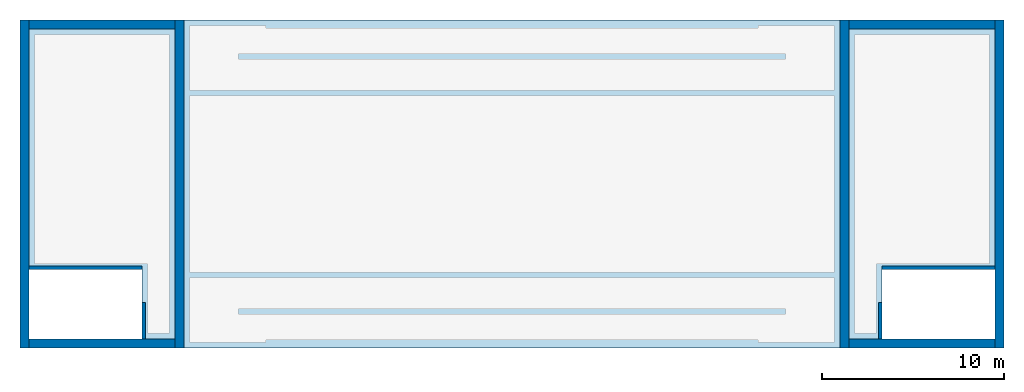
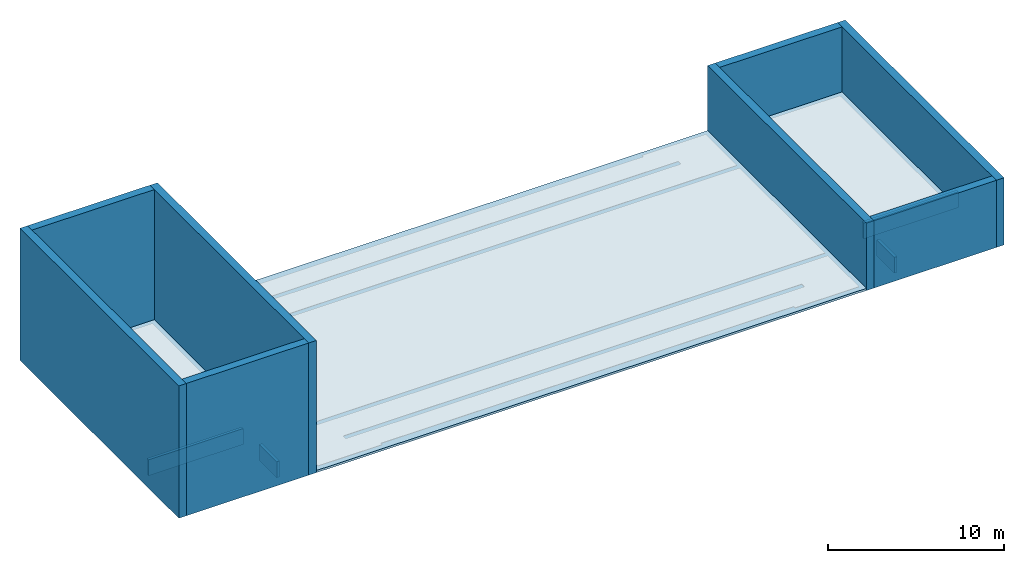
# One storey, part 1 of 2: 12 walls, 3 slabs.
"""IFC4 building model written with IfcOpenShell, lengths in metres."""

from ifc_helpers import new_model, si_unit, direction, frame, frame_2d, origin, place, context, subcontext, project, spatial, polyline, rectangle, outline, extrude, material, layer, layer_set, type_object, element, save


model = new_model("IFC4")

# Units and contexts
model_context = context("Model", 3, precision=1e-05, world=origin(), true_north=direction((0.0, 1.0)))
body_context = subcontext(model_context, "Body", "Model", "MODEL_VIEW")
ifc_project = project(units=[si_unit("LENGTHUNIT", "METRE"), si_unit("AREAUNIT", "SQUARE_METRE"), si_unit("VOLUMEUNIT", "CUBIC_METRE"), si_unit("PLANEANGLEUNIT", "RADIAN"), si_unit("MASSUNIT", "GRAM", prefix="KILO")], contexts=[model_context])

# Site, building, storey
site_placement = place(None, origin())
site = spatial("IfcSite", under=ifc_project, at=site_placement, CompositionType="ELEMENT")
building_placement = place(site_placement, origin())
building = spatial("IfcBuilding", under=site, at=building_placement, Name="Corbel Yard City Hall", CompositionType="ELEMENT")
storey_placement = place(building_placement, frame((0.0, 0.0, 76.0)))
storey = spatial("IfcBuildingStorey", under=building, at=storey_placement, Name="ROOF", CompositionType="ELEMENT", Elevation=76.0)

# Slabs
ifc_material_1 = material(Name="Concrete N40 (40 MPa)", Category="concrete")
ifc_layer_1 = layer(ifc_material_1, 0.25)
ifc_layer_set_1 = layer_set([ifc_layer_1], Name="Concrete N40 (40 MPa)")
slab_type_1 = type_object("IfcSlabType", Name="CF3", PredefinedType="ROOF", material=ifc_layer_set_1)
slab_1_placement = place(storey_placement, frame((0.0, 0.0, -0.25)))
element("IfcSlab", 1, at=slab_1_placement, inside=storey, type_object=slab_type_1, Name="Trunk roof slab", PredefinedType="ROOF", context=body_context, shape_type="SweptSolid", body=[
    extrude(outline(polyline([(0.5, 116.5), (0.5, 103.300048828125), (6.698974609375, 103.300048828125), (6.698974609375, 99.5), (8.5, 99.5), (8.5, 116.5), (0.5, 116.5)])), origin(), (0.0, 0.0, 1.0), 0.25),
])
slab_2_placement = place(storey_placement, frame((0.0, 0.0, -0.25)))
element("IfcSlab", 2, at=slab_2_placement, inside=storey, type_object=slab_type_1, Name="Trunk roof slab", PredefinedType="ROOF", context=body_context, shape_type="SweptSolid", body=[
    extrude(outline(polyline([(45.5, 99.5), (47.301025390625, 99.5), (47.301025390625, 103.300048828125), (53.5, 103.300048828125), (53.5, 116.5), (45.5, 116.5), (45.5, 99.5)])), origin(), (0.0, 0.0, 1.0), 0.25),
])
ifc_layer_2 = layer(ifc_material_1, 0.14990234375)
ifc_layer_set_2 = layer_set([ifc_layer_2], Name="Concrete N40 (40 MPa)")
slab_type_2 = type_object("IfcSlabType", Name="Roof deck 150", PredefinedType="ROOF", material=ifc_layer_set_2)
slab_3_placement = place(storey_placement, frame((0.0, 0.0, -0.14990234375)))
element("IfcSlab", 3, at=slab_3_placement, inside=storey, type_object=slab_type_2, Name="Tower roof deck", PredefinedType="ROOF", context=body_context, shape_type="SweptSolid", body=[
    extrude(outline(polyline([(45.0, 99.0), (45.0, 117.0), (9.0, 117.0), (9.0, 99.0), (45.0, 99.0)])), origin(), (0.0, 0.0, 1.0), 0.14990234375),
])

# Walls
ifc_material_2 = material(Name="Concrete block", Category="concrete")
ifc_layer_3 = layer(ifc_material_2, 0.18994140625)
ifc_layer_set_3 = layer_set([ifc_layer_3], Name="Concrete block")
wall_type_1 = type_object("IfcWallType", Name="PT4", PredefinedType="PARTITIONING", material=ifc_layer_set_3)
wall_1_placement = place(storey_placement, frame((6.794921875, 99.5, 0.0), z_axis=(0.0, 0.0, 1.0), x_axis=(0.0, 1.0, 0.0)))
element("IfcWall", 4, at=wall_1_placement, inside=storey, type_object=wall_type_1, Name="Stair opening upstand wall", PredefinedType="PARTITIONING", context=body_context, shape_type="SweptSolid", body=[
    extrude(rectangle(XDim=2.0, YDim=0.18994140625, at=frame_2d((1.0, 0.0))), origin(), (0.0, 0.0, 1.0), 1.10009765625),
])
wall_2_placement = place(storey_placement, frame((6.699951171875, 103.39501953125, 0.0), z_axis=(0.0, 0.0, 1.0), x_axis=(-1.0, 0.0, 0.0)))
element("IfcWall", 5, at=wall_2_placement, inside=storey, type_object=wall_type_1, Name="Stair opening upstand wall", PredefinedType="PARTITIONING", context=body_context, shape_type="SweptSolid", body=[
    extrude(rectangle(XDim=6.199951171875, YDim=0.18994140625, at=frame_2d((3.10009765625, 0.0))), origin(), (0.0, 0.0, 1.0), 1.10009765625),
])
wall_3_placement = place(storey_placement, frame((47.205078125, 99.5, 0.0), z_axis=(0.0, 0.0, 1.0), x_axis=(0.0, 1.0, 0.0)))
element("IfcWall", 6, at=wall_3_placement, inside=storey, type_object=wall_type_1, Name="Stair opening upstand wall", PredefinedType="PARTITIONING", context=body_context, shape_type="SweptSolid", body=[
    extrude(rectangle(XDim=2.0, YDim=0.18994140625, at=frame_2d((1.0, 0.0))), origin(), (0.0, 0.0, 1.0), 1.10009765625),
])
wall_4_placement = place(storey_placement, frame((47.300048828125, 103.39501953125, 0.0), z_axis=(0.0, 0.0, 1.0), x_axis=(1.0, 0.0, 0.0)))
element("IfcWall", 7, at=wall_4_placement, inside=storey, type_object=wall_type_1, Name="Stair opening upstand wall", PredefinedType="PARTITIONING", context=body_context, shape_type="SweptSolid", body=[
    extrude(rectangle(XDim=6.199951171875, YDim=0.18994140625, at=frame_2d((3.10009765625, 0.0))), origin(), (0.0, 0.0, 1.0), 1.10009765625),
])
ifc_material_3 = material(Name="Concrete N50 (50 MPa)", Category="concrete")
ifc_layer_4 = layer(ifc_material_3, 0.5)
ifc_layer_set_4 = layer_set([ifc_layer_4], Name="Concrete N50 (50 MPa)")
wall_type_2 = type_object("IfcWallType", Name="Trunk wall 500", PredefinedType="SHEAR", material=ifc_layer_set_4)
for number, where, z_axis, x_axis, name in (
    (8, (0.25, 99.0, -0.14990234375), (0.0, 0.0, 1.0), (0.0, 1.0, 0.0), "Trunk W stack west wall"),
    (9, (8.75, 99.0, -0.14990234375), (0.0, 0.0, 1.0), (0.0, 1.0, 0.0), "Trunk W stack east wall"),
):
    element("IfcWall", number, at=place(storey_placement, frame(where, z_axis=z_axis, x_axis=x_axis)), inside=storey, type_object=wall_type_2, Name=name, PredefinedType="SHEAR", context=body_context, shape_type="SweptSolid", body=[
        extrude(rectangle(XDim=18.0, YDim=0.5, at=frame_2d((9.0, 0.0))), origin(), (0.0, 0.0, 1.0), 9.14990234375),
    ])
for number, where, z_axis, x_axis, name in (
    (10, (0.5, 99.25, -0.14990234375), (0.0, 0.0, 1.0), (1.0, 0.0, 0.0), "Trunk W stack south wall"),
    (11, (0.5, 116.75, -0.14990234375), (0.0, 0.0, 1.0), (1.0, 0.0, 0.0), "Trunk W stack north wall"),
):
    element("IfcWall", number, at=place(storey_placement, frame(where, z_axis=z_axis, x_axis=x_axis)), inside=storey, type_object=wall_type_2, Name=name, PredefinedType="SHEAR", context=body_context, shape_type="SweptSolid", body=[
        extrude(rectangle(XDim=8.0, YDim=0.5, at=frame_2d((4.0, 0.0))), origin(), (0.0, 0.0, 1.0), 9.14990234375),
    ])
for number, where, z_axis, x_axis, name in (
    (12, (45.25, 99.0, -0.14990234375), (0.0, 0.0, 1.0), (0.0, 1.0, 0.0), "Trunk E stack west wall"),
    (13, (53.75, 99.0, -0.14990234375), (0.0, 0.0, 1.0), (0.0, 1.0, 0.0), "Trunk E stack east wall"),
):
    element("IfcWall", number, at=place(storey_placement, frame(where, z_axis=z_axis, x_axis=x_axis)), inside=storey, type_object=wall_type_2, Name=name, PredefinedType="SHEAR", context=body_context, shape_type="SweptSolid", body=[
        extrude(rectangle(XDim=18.0, YDim=0.5, at=frame_2d((9.0, 0.0))), origin(), (0.0, 0.0, 1.0), 4.64990234375),
    ])
for number, where, z_axis, x_axis, name in (
    (14, (45.5, 99.25, -0.14990234375), (0.0, 0.0, 1.0), (1.0, 0.0, 0.0), "Trunk E stack south wall"),
    (15, (45.5, 116.75, -0.14990234375), (0.0, 0.0, 1.0), (1.0, 0.0, 0.0), "Trunk E stack north wall"),
):
    element("IfcWall", number, at=place(storey_placement, frame(where, z_axis=z_axis, x_axis=x_axis)), inside=storey, type_object=wall_type_2, Name=name, PredefinedType="SHEAR", context=body_context, shape_type="SweptSolid", body=[
        extrude(rectangle(XDim=8.0, YDim=0.5, at=frame_2d((4.0, 0.0))), origin(), (0.0, 0.0, 1.0), 4.64990234375),
    ])

save(model, "model.ifc")
